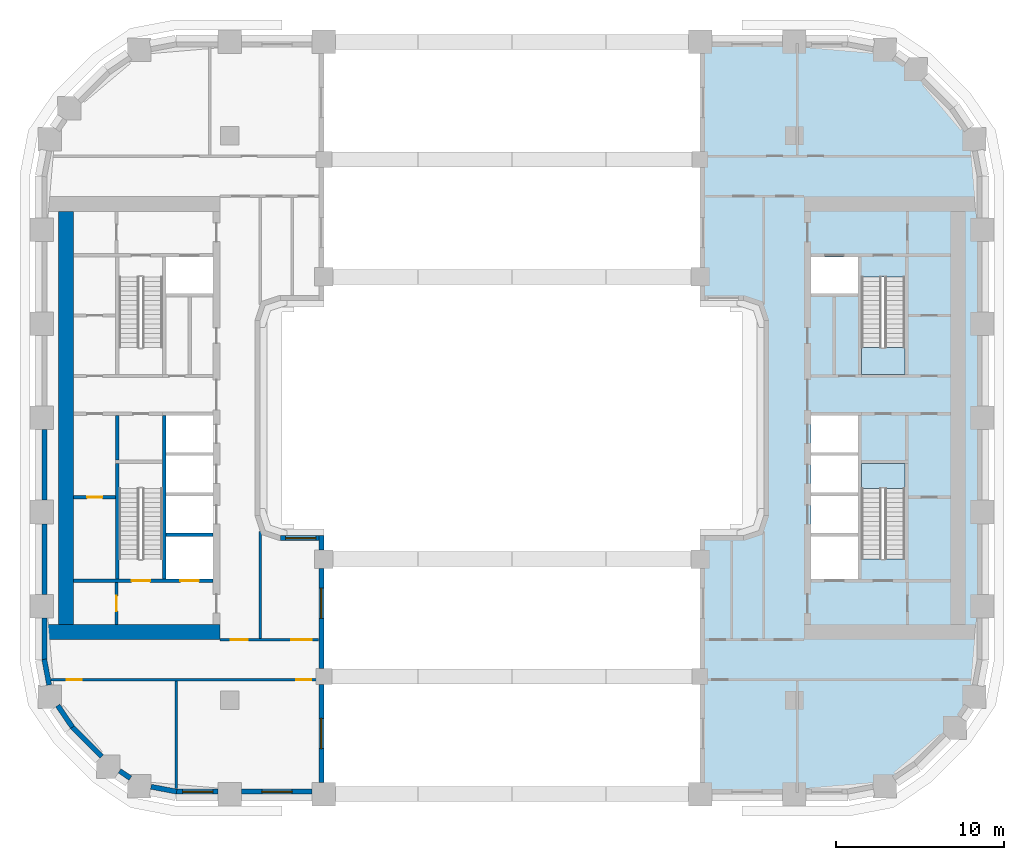
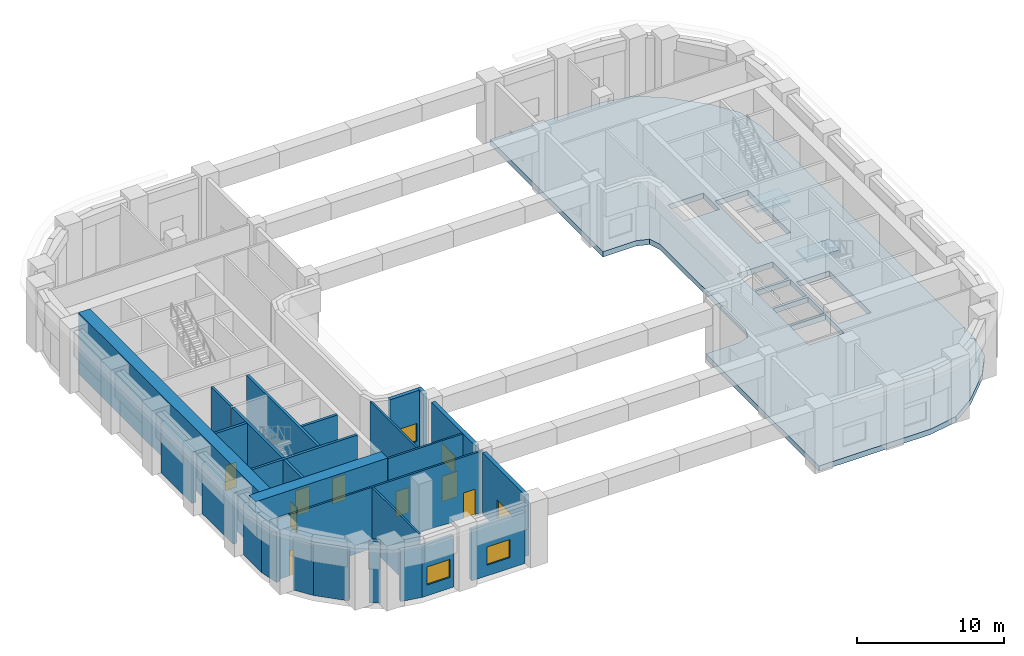
# One storey, part 2 of 14: 27 walls, 8 doors, 5 windows, 3 slabs, 13 openings, 2 elements without a shape of their own.
"""IFC4 building model written with IfcOpenShell, lengths in metres."""

from ifc_helpers import new_model, si_unit, direction, frame, frame_2d, origin, place, context, subcontext, project, spatial, polyline, rectangle, outline, extrude, material, layer, layer_set, type_object, element, fill, aggregate, save


model = new_model("IFC4")

# Units and contexts
model_context = context("Model", 3, precision=1e-05, world=origin(), true_north=direction((0.0, 1.0)))
body_context = subcontext(model_context, "Body", "Model", "MODEL_VIEW")
ifc_project = project(units=[si_unit("LENGTHUNIT", "METRE"), si_unit("AREAUNIT", "SQUARE_METRE"), si_unit("VOLUMEUNIT", "CUBIC_METRE"), si_unit("PLANEANGLEUNIT", "RADIAN"), si_unit("MASSUNIT", "GRAM", prefix="KILO")], contexts=[model_context])

# Site, building, storey
site_placement = place(None, origin())
site = spatial("IfcSite", under=ifc_project, at=site_placement, CompositionType="ELEMENT")
building_placement = place(site_placement, origin())
building = spatial("IfcBuilding", under=site, at=building_placement, Name="Kiln Ring Residences", CompositionType="ELEMENT")
storey_placement = place(building_placement, frame((0.0, 0.0, 77.89990234375)))
storey = spatial("IfcBuildingStorey", under=building, at=storey_placement, Name="L19", CompositionType="ELEMENT", Elevation=77.89990234375)

# Stair, slab
ifc_material_1 = material(Name="Concrete C40/50", Category="concrete")
stair_type = type_object("IfcStairType", Name="CORE-STAIR", PredefinedType="HALF_TURN_STAIR", material=ifc_material_1)
placement_1 = place(storey_placement, origin())
stair_1 = element("IfcStair", 1, at=placement_1, inside=storey, type_object=stair_type, Name="L19 stair E-STN", PredefinedType="HALF_TURN_STAIR")
ifc_material_2 = material(Name="Concrete C40/50", Category="concrete")
ifc_layer_1 = layer(ifc_material_2, 0.199951171875)
ifc_layer_set_1 = layer_set([ifc_layer_1], Name="CORE-STAIR-LANDING")
slab_type_1 = type_object("IfcSlabType", Name="CORE-STAIR-LANDING", PredefinedType="LANDING", material=ifc_layer_set_1)
placement_2 = place(storey_placement, frame((0.0, 0.0, 2.5)))
slab_1 = element("IfcSlab", 2, at=placement_2, type_object=slab_type_1, Name="E-STN landing 1", PredefinedType="LANDING", context=body_context, shape_type="SweptSolid", body=[
    extrude(outline(polyline([(20.800048828125, 4.199951171875), (20.800048828125, 2.60009765625), (23.39990234375, 2.60009765625), (23.39990234375, 4.199951171875), (20.800048828125, 4.199951171875)])), origin(), (0.0, 0.0, 1.0), 0.2001953125),
])
aggregate(stair_1, [slab_1])

stair_2 = element("IfcStair", 3, at=placement_1, inside=storey, type_object=stair_type, Name="L19 stair E-STS", PredefinedType="HALF_TURN_STAIR")
slab_2 = element("IfcSlab", 4, at=placement_2, type_object=slab_type_1, Name="E-STS landing 1", PredefinedType="LANDING", context=body_context, shape_type="SweptSolid", body=[
    extrude(outline(polyline([(23.39990234375, -4.199951171875), (23.39990234375, -2.699951171875), (20.800048828125, -2.699951171875), (20.800048828125, -4.199951171875), (23.39990234375, -4.199951171875)])), origin(), (0.0, 0.0, 1.0), 0.2001953125),
])
aggregate(stair_2, [slab_2])

# Slab
ifc_material_3 = material(Name="Concrete C40/50", Category="concrete")
ifc_layer_2 = layer(ifc_material_3, 0.449951171875)
ifc_layer_set_2 = layer_set([ifc_layer_2], Name="Floor slab 450")
slab_type_2 = type_object("IfcSlabType", Name="Floor slab 450", PredefinedType="FLOOR", material=ifc_layer_set_2)
slab_3_placement = place(storey_placement, frame((0.0, 0.0, -0.449951171875)))
element("IfcSlab", 5, at=slab_3_placement, inside=storey, type_object=slab_type_2, Name="Floor slab L19 2", PredefinedType="FLOOR", context=body_context, shape_type="SweptSolid", body=[
    extrude(outline(polyline([(13.800048828125, -7.0), (11.199951171875, -7.0), (11.199951171875, -22.39990234375), (20.0, -22.39990234375), (22.224365234375, -21.975830078125), (24.09716796875, -20.702880859375), (26.302978515625, -18.4970703125), (27.57568359375, -16.624267578125), (28.0, -14.39990234375), (28.0, 14.39990234375), (27.57568359375, 16.624267578125), (26.302978515625, 18.4970703125), (24.09716796875, 20.702880859375), (22.224365234375, 21.975830078125), (20.0, 22.39990234375), (11.199951171875, 22.39990234375), (11.199951171875, 7.0), (13.800048828125, 7.0), (14.699951171875, 6.699951171875), (15.0, 5.800048828125), (15.0, -5.800048828125), (14.699951171875, -6.699951171875), (13.800048828125, -7.0)]), holes=[polyline([(20.800048828125, -8.39794921875), (20.800048828125, -2.699951171875), (23.39990234375, -2.699951171875), (23.39990234375, -8.39794921875), (20.800048828125, -8.39794921875)]), polyline([(20.800048828125, 2.60009765625), (20.800048828125, 8.39794921875), (23.39990234375, 8.39794921875), (23.39990234375, 2.60009765625), (20.800048828125, 2.60009765625)]), polyline([(17.800048828125, -6.85009765625), (17.800048828125, -4.64990234375), (20.60009765625, -4.64990234375), (20.60009765625, -6.85009765625), (17.800048828125, -6.85009765625)]), polyline([(17.800048828125, -4.449951171875), (17.800048828125, -2.25), (20.60009765625, -2.25), (20.60009765625, -4.449951171875), (17.800048828125, -4.449951171875)]), polyline([(17.800048828125, -2.050048828125), (17.800048828125, 0.14990234375), (20.60009765625, 0.14990234375), (20.60009765625, -2.050048828125), (17.800048828125, -2.050048828125)]), polyline([(17.800048828125, 7.39990234375), (17.800048828125, 9.60009765625), (20.60009765625, 9.60009765625), (20.60009765625, 7.39990234375), (17.800048828125, 7.39990234375)]), polyline([(20.60009765625, -9.60009765625), (17.800048828125, -9.60009765625), (17.800048828125, -7.050048828125), (20.60009765625, -7.050048828125), (20.60009765625, -9.60009765625)])]), origin(), (0.0, 0.0, 1.0), 0.449951171875),
])

# Wall
ifc_material_4 = material(Name="Gypsum board on steel studs", Category="steel")
ifc_layer_3 = layer(ifc_material_4, 0.199951171875)
ifc_layer_set_3 = layer_set([ifc_layer_3], Name="CORE-PARTITION-200")
wall_type_1 = type_object("IfcWallType", Name="CORE-PARTITION-200", PredefinedType="PARTITIONING", material=ifc_layer_set_3)
wall_1_placement = place(storey_placement, frame((-23.5, -2.5, 0.0), z_axis=(0.0, 0.0, 1.0), x_axis=(0.0, 1.0, 0.0)))
element("IfcWall", 6, at=wall_1_placement, inside=storey, type_object=wall_type_1, Name="Core partition west L19 1", PredefinedType="PARTITIONING", context=body_context, shape_type="SweptSolid", body=[
    extrude(rectangle(XDim=2.64990234375, YDim=0.199951171875, at=frame_2d((1.324951171875, 0.0))), origin(), (0.0, 0.0, 1.0), 5.10009765625),
])

# Wall, opening, door
wall_2_placement = place(storey_placement, frame((-23.550048828125, -12.300048828125, 0.0), z_axis=(0.0, 0.0, 1.0), x_axis=(0.0, 1.0, 0.0)))
wall_2 = element("IfcWall", 7, at=wall_2_placement, inside=storey, type_object=wall_type_1, Name="Core partition west L19 5", PredefinedType="PARTITIONING", context=body_context, shape_type="SweptSolid", body=[
    extrude(rectangle(XDim=2.5, YDim=0.199951171875, at=frame_2d((1.25, 0.0))), origin(), (0.0, 0.0, 1.0), 5.10009765625),
])
opening_1_placement = place(wall_2_placement, frame((0.800048828125, 0.0, 0.0)))
opening_1 = element("IfcOpeningElement", 8, at=opening_1_placement, cuts=wall_2, Name="Opening L19-CW11", PredefinedType="OPENING", context=body_context, shape_type="SweptSolid", body=[
    extrude(rectangle(XDim=0.89990234375, YDim=2.10009765625, at=frame_2d((0.449951171875, 1.050048828125))), frame((0.0, 0.10986328125, 0.0), z_axis=(0.0, -1.0, 0.0), x_axis=(1.0, 0.0, 0.0)), (0.0, 0.0, 1.0), 0.219970703125),
])
ifc_material_5 = material(Name="Steel door leaf", Category="steel")
door_type_1 = type_object("IfcDoorType", Name="CORE-DOOR-ROOM", OperationType="SINGLE_SWING_LEFT", PredefinedType="DOOR", material=ifc_material_5)
door_1_placement = place(opening_1_placement, origin())
door_1 = element("IfcDoor", 9, at=door_1_placement, inside=storey, type_object=door_type_1, Name="Store L19-CW11", OperationType="SINGLE_SWING_LEFT", OverallHeight=2.10009765625, OverallWidth=0.89990234375, PredefinedType="DOOR", context=body_context, shape_type="SweptSolid", body=[
    extrude(rectangle(XDim=0.89990234375, YDim=2.10009765625, at=frame_2d((0.449951171875, 1.050048828125))), frame((0.0, 0.02490234375, 0.0), z_axis=(0.0, -1.0, 0.0), x_axis=(1.0, 0.0, 0.0)), (0.0, 0.0, 1.0), 0.050048828125),
])
fill(opening_1, door_1)

wall_3_placement = place(storey_placement, frame((-23.60009765625, -4.72509765625, 0.0), z_axis=(0.0, 0.0, 1.0), x_axis=(-1.0, 0.0, 0.0)))
wall_3 = element("IfcWall", 10, at=wall_3_placement, inside=storey, type_object=wall_type_1, Name="Core partition west L19 6", PredefinedType="PARTITIONING", context=body_context, shape_type="SweptSolid", body=[
    extrude(rectangle(XDim=2.5, YDim=0.199951171875, at=frame_2d((1.25, 0.0))), origin(), (0.0, 0.0, 1.0), 5.10009765625),
])
opening_2_placement = place(wall_3_placement, frame((0.800048828125, 0.0, 0.0)))
opening_2 = element("IfcOpeningElement", 11, at=opening_2_placement, cuts=wall_3, Name="Opening L19-CW16", PredefinedType="OPENING", context=body_context, shape_type="SweptSolid", body=[
    extrude(rectangle(XDim=0.89990234375, YDim=2.10009765625, at=frame_2d((0.449951171875, 1.050048828125))), frame((0.0, 0.10986328125, 0.0), z_axis=(0.0, -1.0, 0.0), x_axis=(1.0, 0.0, 0.0)), (0.0, 0.0, 1.0), 0.219970703125),
])
door_2_placement = place(opening_2_placement, origin())
door_2 = element("IfcDoor", 12, at=door_2_placement, inside=storey, type_object=door_type_1, Name="Meter room L19-CW16", OperationType="SINGLE_SWING_LEFT", OverallHeight=2.10009765625, OverallWidth=0.89990234375, PredefinedType="DOOR", context=body_context, shape_type="SweptSolid", body=[
    extrude(rectangle(XDim=0.89990234375, YDim=2.10009765625, at=frame_2d((0.449951171875, 1.050048828125))), frame((0.0, 0.02490234375, 0.0), z_axis=(0.0, -1.0, 0.0), x_axis=(1.0, 0.0, 0.0)), (0.0, 0.0, 1.0), 0.050048828125),
])
fill(opening_2, door_2)

# Walls
ifc_material_6 = material(Name="Gypsum shaft wall system")
ifc_layer_4 = layer(ifc_material_6, 0.199951171875)
ifc_layer_set_4 = layer_set([ifc_layer_4], Name="CORE-SHAFT-WALL-200")
wall_type_2 = type_object("IfcWallType", Name="CORE-SHAFT-WALL-200", PredefinedType="PARTITIONING", material=ifc_layer_set_4)
wall_4_placement = place(storey_placement, frame((-17.800048828125, -6.949951171875, 0.0), z_axis=(0.0, 0.0, 1.0), x_axis=(-1.0, 0.0, 0.0)))
element("IfcWall", 13, at=wall_4_placement, inside=storey, type_object=wall_type_2, Name="Core partition west L19 8", PredefinedType="PARTITIONING", context=body_context, shape_type="SweptSolid", body=[
    extrude(rectangle(XDim=2.800048828125, YDim=0.199951171875, at=frame_2d((1.39990234375, 0.0))), origin(), (0.0, 0.0, 1.0), 5.10009765625),
])
ifc_material_7 = material(Name="Concrete C40/50", Category="concrete")
ifc_layer_5 = layer(ifc_material_7, 0.199951171875)
ifc_layer_set_5 = layer_set([ifc_layer_5], Name="CORE-WALL-RC200")
wall_type_3 = type_object("IfcWallType", Name="CORE-WALL-RC200", PredefinedType="SHEAR", material=ifc_layer_set_5)
wall_5_placement = place(storey_placement, frame((-20.699951171875, -9.60009765625, 0.0), z_axis=(0.0, 0.0, 1.0), x_axis=(0.0, 1.0, 0.0)))
element("IfcWall", 14, at=wall_5_placement, inside=storey, type_object=wall_type_3, Name="Core wall west L19 2", PredefinedType="SHEAR", context=body_context, shape_type="SweptSolid", body=[
    extrude(rectangle(XDim=9.75, YDim=0.199951171875, at=frame_2d((4.875, 0.0))), origin(), (0.0, 0.0, 1.0), 5.10009765625),
])

# Wall, openings, doors
wall_6_placement = place(storey_placement, frame((-17.800048828125, -9.699951171875, 0.0), z_axis=(0.0, 0.0, 1.0), x_axis=(-1.0, 0.0, 0.0)))
wall_6 = element("IfcWall", 15, at=wall_6_placement, inside=storey, type_object=wall_type_3, Name="Core wall west L19 8", PredefinedType="SHEAR", context=body_context, shape_type="SweptSolid", body=[
    extrude(rectangle(XDim=8.300048828125, YDim=0.199951171875, at=frame_2d((4.14990234375, 0.0))), origin(), (0.0, 0.0, 1.0), 5.10009765625),
])
opening_3_placement = place(wall_6_placement, frame((0.85009765625, 0.0, 0.0)))
opening_3 = element("IfcOpeningElement", 16, at=opening_3_placement, cuts=wall_6, Name="Opening L19-CW01", PredefinedType="OPENING", context=body_context, shape_type="SweptSolid", body=[
    extrude(rectangle(XDim=1.10009765625, YDim=2.10009765625, at=frame_2d((0.550048828125, 1.050048828125))), frame((0.0, 0.10986328125, 0.0), z_axis=(0.0, -1.0, 0.0), x_axis=(1.0, 0.0, 0.0)), (0.0, 0.0, 1.0), 0.219970703125),
])
opening_4_placement = place(wall_6_placement, frame((3.75, 0.0, 0.0)))
opening_4 = element("IfcOpeningElement", 17, at=opening_4_placement, cuts=wall_6, Name="Opening L19-CW13", PredefinedType="OPENING", context=body_context, shape_type="SweptSolid", body=[
    extrude(rectangle(XDim=1.10009765625, YDim=2.10009765625, at=frame_2d((0.550048828125, 1.050048828125))), frame((0.0, 0.10986328125, 0.0), z_axis=(0.0, -1.0, 0.0), x_axis=(1.0, 0.0, 0.0)), (0.0, 0.0, 1.0), 0.219970703125),
])
ifc_material_8 = material(Name="Steel door leaf", Category="steel")
door_type_2 = type_object("IfcDoorType", Name="CORE-DOOR-LD", OperationType="DOUBLE_DOOR_SLIDING", PredefinedType="DOOR", material=ifc_material_8)
door_3_placement = place(opening_3_placement, origin())
door_3 = element("IfcDoor", 18, at=door_3_placement, inside=storey, type_object=door_type_2, Name="LD W-SV L19-CW01", OperationType="DOUBLE_DOOR_SLIDING", OverallHeight=2.10009765625, OverallWidth=1.10009765625, PredefinedType="DOOR", context=body_context, shape_type="SweptSolid", body=[
    extrude(rectangle(XDim=1.10009765625, YDim=2.10009765625, at=frame_2d((0.550048828125, 1.050048828125))), frame((0.0, 0.02490234375, 0.0), z_axis=(0.0, -1.0, 0.0), x_axis=(1.0, 0.0, 0.0)), (0.0, 0.0, 1.0), 0.050048828125),
])
fill(opening_3, door_3)
ifc_material_9 = material(Name="Steel door leaf", Category="steel")
door_type_3 = type_object("IfcDoorType", Name="CORE-DOOR-STAIR", OperationType="SINGLE_SWING_LEFT", PredefinedType="DOOR", material=ifc_material_9)
door_4_placement = place(opening_4_placement, origin())
door_4 = element("IfcDoor", 19, at=door_4_placement, inside=storey, type_object=door_type_3, Name="Stair W-STS L19-CW13", OperationType="SINGLE_SWING_RIGHT", OverallHeight=2.10009765625, OverallWidth=1.10009765625, PredefinedType="DOOR", context=body_context, shape_type="SweptSolid", body=[
    extrude(rectangle(XDim=1.10009765625, YDim=2.10009765625, at=frame_2d((0.550048828125, 1.050048828125))), frame((0.0, 0.02490234375, 0.0), z_axis=(0.0, -1.0, 0.0), x_axis=(1.0, 0.0, 0.0)), (0.0, 0.0, 1.0), 0.050048828125),
])
fill(opening_4, door_4)

# Walls
wall_7_placement = place(storey_placement, frame((-23.5, -9.60009765625, 0.0), z_axis=(0.0, 0.0, 1.0), x_axis=(0.0, 1.0, 0.0)))
element("IfcWall", 20, at=wall_7_placement, inside=storey, type_object=wall_type_3, Name="Core wall west L19 11", PredefinedType="SHEAR", context=body_context, shape_type="SweptSolid", body=[
    extrude(rectangle(XDim=6.900146484375, YDim=0.199951171875, at=frame_2d((3.4501953125, 0.0))), origin(), (0.0, 0.0, 1.0), 5.10009765625),
])
ifc_material_10 = material(Name="Concrete C60/75", Category="concrete")
ifc_layer_6 = layer(ifc_material_10, 0.89990234375)
ifc_layer_set_6 = layer_set([ifc_layer_6], Name="CORE-WALL-RC900")
wall_type_4 = type_object("IfcWallType", Name="CORE-WALL-RC900", PredefinedType="SHEAR", material=ifc_layer_set_6)
wall_8_placement = place(storey_placement, frame((-17.39990234375, -12.75, 0.0), z_axis=(0.0, 0.0, 1.0), x_axis=(-1.0, 0.0, 0.0)))
element("IfcWall", 21, at=wall_8_placement, inside=storey, type_object=wall_type_4, Name="Core wall west L19 5", PredefinedType="SHEAR", context=body_context, shape_type="SweptSolid", body=[
    extrude(rectangle(XDim=10.400146484375, YDim=0.89990234375, at=frame_2d((5.2001953125, 0.0))), origin(), (0.0, 0.0, 1.0), 5.10009765625),
])
wall_9_placement = place(storey_placement, frame((-26.550048828125, -12.300048828125, 0.0), z_axis=(0.0, 0.0, 1.0), x_axis=(0.0, 1.0, 0.0)))
element("IfcWall", 22, at=wall_9_placement, inside=storey, type_object=wall_type_4, Name="Core wall west L19 7", PredefinedType="SHEAR", context=body_context, shape_type="SweptSolid", body=[
    extrude(rectangle(XDim=24.60009765625, YDim=0.89990234375, at=frame_2d((12.300048828125, 0.0))), origin(), (0.0, 0.0, 1.0), 5.10009765625),
])
ifc_material_11 = material(Name="Brick masonry, dark clay brick", Category="masonry")
ifc_layer_7 = layer(ifc_material_11, 0.300048828125)
ifc_layer_set_7 = layer_set([ifc_layer_7], Name="EW-300 BRICK WALL")
wall_type_5 = type_object("IfcWallType", Name="EW-300 BRICK WALL", PredefinedType="SOLIDWALL", material=ifc_layer_set_7)
for number, where, z_axis, x_axis, name in (
    (23, (-27.8525390625, -14.371826171875, 0.0), (0.0, 0.0, 1.0), (0.187328386968, -0.982297345734, 0.0), "Facade wall L19 1"),
    (24, (-27.053466796875, -17.125732421875, 0.0), (0.0, 0.0, 1.0), (0.56199241657, -0.827142384187, 0.0), "Facade wall L19 2"),
):
    element("IfcWall", number, at=place(storey_placement, frame(where, z_axis=z_axis, x_axis=x_axis)), inside=storey, type_object=wall_type_5, Name=name, PredefinedType="SOLIDWALL", context=body_context, shape_type="SweptSolid", body=[
        extrude(rectangle(XDim=1.55615234375, YDim=0.300048828125, at=frame_2d((0.778076171875, 0.0))), origin(), (0.0, 0.0, 1.0), 4.25),
    ])
wall_10_placement = place(storey_placement, frame((-26.19677734375, -18.390869140625, 0.0), z_axis=(0.0, 0.0, 1.0), x_axis=(0.707057949532, -0.707155609469, 0.0)))
element("IfcWall", 25, at=wall_10_placement, inside=storey, type_object=wall_type_5, Name="Facade wall L19 3", PredefinedType="SOLIDWALL", context=body_context, shape_type="SweptSolid", body=[
    extrude(rectangle(XDim=2.5, YDim=0.300048828125, at=frame_2d((1.25, 0.0))), origin(), (0.0, 0.0, 1.0), 4.25),
])
wall_11_placement = place(storey_placement, frame((-23.368408203125, -21.016845703125, 0.0), z_axis=(0.0, 0.0, 1.0), x_axis=(0.827037530089, -0.562146710232, 0.0)))
element("IfcWall", 26, at=wall_11_placement, inside=storey, type_object=wall_type_5, Name="Facade wall L19 4", PredefinedType="SOLIDWALL", context=body_context, shape_type="SweptSolid", body=[
    extrude(rectangle(XDim=0.77685546875, YDim=0.300048828125, at=frame_2d((0.388427734375, 0.0))), origin(), (0.0, 0.0, 1.0), 5.10009765625),
])
wall_12_placement = place(storey_placement, frame((-21.50048828125, -21.961181640625, 0.0), z_axis=(0.0, 0.0, 1.0), x_axis=(0.982297345734, -0.187328386968, 0.0)))
element("IfcWall", 27, at=wall_12_placement, inside=storey, type_object=wall_type_5, Name="Facade wall L19 5", PredefinedType="SOLIDWALL", context=body_context, shape_type="SweptSolid", body=[
    extrude(rectangle(XDim=1.55615234375, YDim=0.300048828125, at=frame_2d((0.778076171875, 0.0))), origin(), (0.0, 0.0, 1.0), 4.25),
])

# Wall, opening, window
wall_13_placement = place(storey_placement, frame((-20.0, -22.25, 0.0), z_axis=(0.0, 0.0, 1.0), x_axis=(1.0, 0.0, 0.0)))
wall_13 = element("IfcWall", 28, at=wall_13_placement, inside=storey, type_object=wall_type_5, Name="Facade wall L19 6", PredefinedType="SOLIDWALL", context=body_context, shape_type="SweptSolid", body=[
    extrude(rectangle(XDim=2.5, YDim=0.300048828125, at=frame_2d((1.25, 0.0))), origin(), (0.0, 0.0, 1.0), 4.25),
])
opening_5_placement = place(wall_13_placement, frame((0.389892578125, 0.0, 0.89990234375)))
opening_5 = element("IfcOpeningElement", 29, at=opening_5_placement, cuts=wall_13, Name="Opening LV1", PredefinedType="OPENING", context=body_context, shape_type="SweptSolid", body=[
    extrude(rectangle(XDim=1.800048828125, YDim=1.5, at=frame_2d((0.89990234375, 0.75))), frame((0.0, 0.159912109375, 0.0), z_axis=(0.0, -1.0, 0.0), x_axis=(1.0, 0.0, 0.0)), (0.0, 0.0, 1.0), 0.320068359375),
])
ifc_material_12 = material(Name="Aluminium louvre", Category="aluminium")
window_type = type_object("IfcWindowType", Name="LOUVRED VENT 1800 x 1500", PartitioningType="SINGLE_PANEL", PredefinedType="WINDOW", material=ifc_material_12)
window_1_placement = place(opening_5_placement, origin())
window_1 = element("IfcWindow", 30, at=window_1_placement, inside=storey, type_object=window_type, Name="Louvred vent L19 1", OverallHeight=1.5, OverallWidth=1.800048828125, PartitioningType="SINGLE_PANEL", PredefinedType="WINDOW", context=body_context, shape_type="SweptSolid", body=[
    extrude(rectangle(XDim=1.800048828125, YDim=1.5, at=frame_2d((0.89990234375, 0.75))), frame((0.0, 0.030029296875, 0.0), z_axis=(0.0, -1.0, 0.0), x_axis=(1.0, 0.0, 0.0)), (0.0, 0.0, 1.0), 0.06005859375),
])
fill(opening_5, window_1)

wall_14_placement = place(storey_placement, frame((-16.10009765625, -22.25, 0.0), z_axis=(0.0, 0.0, 1.0), x_axis=(1.0, 0.0, 0.0)))
wall_14 = element("IfcWall", 31, at=wall_14_placement, inside=storey, type_object=wall_type_5, Name="Facade wall L19 7", PredefinedType="SOLIDWALL", context=body_context, shape_type="SweptSolid", body=[
    extrude(rectangle(XDim=4.2001953125, YDim=0.300048828125, at=frame_2d((2.10009765625, 0.0))), origin(), (0.0, 0.0, 1.0), 4.25),
])
opening_6_placement = place(wall_14_placement, frame((1.199951171875, 0.0, 0.89990234375)))
opening_6 = element("IfcOpeningElement", 32, at=opening_6_placement, cuts=wall_14, Name="Opening LV1", PredefinedType="OPENING", context=body_context, shape_type="SweptSolid", body=[
    extrude(rectangle(XDim=1.800048828125, YDim=1.5, at=frame_2d((0.89990234375, 0.75))), frame((0.0, 0.159912109375, 0.0), z_axis=(0.0, -1.0, 0.0), x_axis=(1.0, 0.0, 0.0)), (0.0, 0.0, 1.0), 0.320068359375),
])
window_2_placement = place(opening_6_placement, origin())
window_2 = element("IfcWindow", 33, at=window_2_placement, inside=storey, type_object=window_type, Name="Louvred vent L19 2", OverallHeight=1.5, OverallWidth=1.800048828125, PartitioningType="SINGLE_PANEL", PredefinedType="WINDOW", context=body_context, shape_type="SweptSolid", body=[
    extrude(rectangle(XDim=1.800048828125, YDim=1.5, at=frame_2d((0.89990234375, 0.75))), frame((0.0, 0.030029296875, 0.0), z_axis=(0.0, -1.0, 0.0), x_axis=(1.0, 0.0, 0.0)), (0.0, 0.0, 1.0), 0.06005859375),
])
fill(opening_6, window_2)

wall_15_placement = place(storey_placement, frame((-11.35009765625, -21.699951171875, 0.0), z_axis=(0.0, 0.0, 1.0), x_axis=(0.0, 1.0, 0.0)))
wall_15 = element("IfcWall", 34, at=wall_15_placement, inside=storey, type_object=wall_type_5, Name="Facade wall L19 8", PredefinedType="SOLIDWALL", context=body_context, shape_type="SweptSolid", body=[
    extrude(rectangle(XDim=5.824951171875, YDim=0.300048828125, at=frame_2d((2.91259765625, 0.0))), origin(), (0.0, 0.0, 1.0), 5.10009765625),
])
opening_7_placement = place(wall_15_placement, frame((2.012451171875, 0.0, 0.89990234375)))
opening_7 = element("IfcOpeningElement", 35, at=opening_7_placement, cuts=wall_15, Name="Opening LV1", PredefinedType="OPENING", context=body_context, shape_type="SweptSolid", body=[
    extrude(rectangle(XDim=1.800048828125, YDim=1.5, at=frame_2d((0.89990234375, 0.75))), frame((0.0, 0.159912109375, 0.0), z_axis=(0.0, -1.0, 0.0), x_axis=(1.0, 0.0, 0.0)), (0.0, 0.0, 1.0), 0.320068359375),
])
window_3_placement = place(opening_7_placement, origin())
window_3 = element("IfcWindow", 36, at=window_3_placement, inside=storey, type_object=window_type, Name="Louvred vent L19 3", OverallHeight=1.5, OverallWidth=1.800048828125, PartitioningType="SINGLE_PANEL", PredefinedType="WINDOW", context=body_context, shape_type="SweptSolid", body=[
    extrude(rectangle(XDim=1.800048828125, YDim=1.5, at=frame_2d((0.89990234375, 0.75))), frame((0.0, 0.030029296875, 0.0), z_axis=(0.0, -1.0, 0.0), x_axis=(1.0, 0.0, 0.0)), (0.0, 0.0, 1.0), 0.06005859375),
])
fill(opening_7, window_3)

wall_16_placement = place(storey_placement, frame((-11.35009765625, -14.925048828125, 0.0), z_axis=(0.0, 0.0, 1.0), x_axis=(0.0, 1.0, 0.0)))
wall_16 = element("IfcWall", 37, at=wall_16_placement, inside=storey, type_object=wall_type_5, Name="Facade wall L19 9", PredefinedType="SOLIDWALL", context=body_context, shape_type="SweptSolid", body=[
    extrude(rectangle(XDim=5.97509765625, YDim=0.300048828125, at=frame_2d((2.987548828125, 0.0))), origin(), (0.0, 0.0, 1.0), 5.10009765625),
])
opening_8_placement = place(wall_16_placement, frame((2.987548828125, 0.0, 0.89990234375)))
opening_8 = element("IfcOpeningElement", 38, at=opening_8_placement, cuts=wall_16, Name="Opening LV1", PredefinedType="OPENING", context=body_context, shape_type="SweptSolid", body=[
    extrude(rectangle(XDim=1.800048828125, YDim=1.5, at=frame_2d((0.89990234375, 0.75))), frame((0.0, 0.159912109375, 0.0), z_axis=(0.0, -1.0, 0.0), x_axis=(1.0, 0.0, 0.0)), (0.0, 0.0, 1.0), 0.320068359375),
])
window_4_placement = place(opening_8_placement, origin())
window_4 = element("IfcWindow", 39, at=window_4_placement, inside=storey, type_object=window_type, Name="Louvred vent L19 4", OverallHeight=1.5, OverallWidth=1.800048828125, PartitioningType="SINGLE_PANEL", PredefinedType="WINDOW", context=body_context, shape_type="SweptSolid", body=[
    extrude(rectangle(XDim=1.800048828125, YDim=1.5, at=frame_2d((0.89990234375, 0.75))), frame((0.0, 0.030029296875, 0.0), z_axis=(0.0, -1.0, 0.0), x_axis=(1.0, 0.0, 0.0)), (0.0, 0.0, 1.0), 0.06005859375),
])
fill(opening_8, window_4)

# Wall
wall_17_placement = place(storey_placement, frame((-11.35009765625, -7.85009765625, 0.0), z_axis=(0.0, 0.0, 1.0), x_axis=(0.0, 1.0, 0.0)))
element("IfcWall", 40, at=wall_17_placement, inside=storey, type_object=wall_type_5, Name="Facade wall L19 10", PredefinedType="SOLIDWALL", context=body_context, shape_type="SweptSolid", body=[
    extrude(rectangle(XDim=0.85009765625, YDim=0.300048828125, at=frame_2d((0.425048828125, 0.0))), origin(), (0.0, 0.0, 1.0), 5.10009765625),
])

# Wall, opening, window
wall_18_placement = place(storey_placement, frame((-11.199951171875, -7.14990234375, 0.0), z_axis=(0.0, 0.0, 1.0), x_axis=(-1.0, 0.0, 0.0)))
wall_18 = element("IfcWall", 41, at=wall_18_placement, inside=storey, type_object=wall_type_5, Name="Facade wall L19 11", PredefinedType="SOLIDWALL", context=body_context, shape_type="SweptSolid", body=[
    extrude(rectangle(XDim=2.60009765625, YDim=0.300048828125, at=frame_2d((1.300048828125, 0.0))), origin(), (0.0, 0.0, 1.0), 5.10009765625),
])
opening_9_placement = place(wall_18_placement, frame((0.482421875, 0.0, 0.89990234375)))
opening_9 = element("IfcOpeningElement", 42, at=opening_9_placement, cuts=wall_18, Name="Opening LV1", PredefinedType="OPENING", context=body_context, shape_type="SweptSolid", body=[
    extrude(rectangle(XDim=1.800048828125, YDim=1.5, at=frame_2d((0.89990234375, 0.75))), frame((0.0, 0.159912109375, 0.0), z_axis=(0.0, -1.0, 0.0), x_axis=(1.0, 0.0, 0.0)), (0.0, 0.0, 1.0), 0.320068359375),
])
window_5_placement = place(opening_9_placement, origin())
window_5 = element("IfcWindow", 43, at=window_5_placement, inside=storey, type_object=window_type, Name="Louvred vent L19 5", OverallHeight=1.5, OverallWidth=1.800048828125, PartitioningType="SINGLE_PANEL", PredefinedType="WINDOW", context=body_context, shape_type="SweptSolid", body=[
    extrude(rectangle(XDim=1.800048828125, YDim=1.5, at=frame_2d((0.89990234375, 0.75))), frame((0.0, 0.030029296875, 0.0), z_axis=(0.0, -1.0, 0.0), x_axis=(1.0, 0.0, 0.0)), (0.0, 0.0, 1.0), 0.06005859375),
])
fill(opening_9, window_5)

# Walls
for number, where, z_axis, x_axis, name in (
    (44, (-27.85009765625, -0.699951171875, 0.0), (0.0, 0.0, 1.0), (0.0, -1.0, 0.0), "Facade wall L19 27"),
    (45, (-27.85009765625, -6.300048828125, 0.0), (0.0, 0.0, 1.0), (0.0, -1.0, 0.0), "Facade wall L19 28"),
):
    element("IfcWall", number, at=place(storey_placement, frame(where, z_axis=z_axis, x_axis=x_axis)), inside=storey, type_object=wall_type_5, Name=name, PredefinedType="SOLIDWALL", context=body_context, shape_type="SweptSolid", body=[
        extrude(rectangle(XDim=4.199951171875, YDim=0.300048828125, at=frame_2d((2.10009765625, 0.0))), origin(), (0.0, 0.0, 1.0), 4.25),
    ])
wall_19_placement = place(storey_placement, frame((-27.85009765625, -11.89990234375, 0.0), z_axis=(0.0, 0.0, 1.0), x_axis=(0.0, -1.0, 0.0)))
element("IfcWall", 46, at=wall_19_placement, inside=storey, type_object=wall_type_5, Name="Facade wall L19 29", PredefinedType="SOLIDWALL", context=body_context, shape_type="SweptSolid", body=[
    extrude(rectangle(XDim=2.5, YDim=0.300048828125, at=frame_2d((1.25, 0.0))), origin(), (0.0, 0.0, 1.0), 4.25),
])

# Wall, openings, doors
ifc_material_13 = material(Name="Brick masonry partition", Category="masonry")
ifc_layer_8 = layer(ifc_material_13, 0.14990234375)
ifc_layer_set_8 = layer_set([ifc_layer_8], Name="PARTITION-150-ei60")
wall_type_6 = type_object("IfcWallType", Name="PARTITION-150-ei60", PredefinedType="PARTITIONING", material=ifc_layer_set_8)
wall_20_placement = place(storey_placement, frame((-27.44580078125, -15.60009765625, 0.0), z_axis=(0.0, 0.0, 1.0), x_axis=(1.0, 0.0, 0.0)))
wall_20 = element("IfcWall", 47, at=wall_20_placement, inside=storey, type_object=wall_type_6, Name="Partition 000", PredefinedType="PARTITIONING", context=body_context, shape_type="SweptSolid", body=[
    extrude(rectangle(XDim=16.15576171875, YDim=0.14990234375, at=frame_2d((8.077880859375, 0.0))), origin(), (0.0, 0.0, 1.0), 5.10009765625),
])
opening_10_placement = place(wall_20_placement, frame((14.6005859375, 0.0, 0.0)))
opening_10 = element("IfcOpeningElement", 48, at=opening_10_placement, cuts=wall_20, Name="Opening L19-D012", PredefinedType="OPENING", context=body_context, shape_type="SweptSolid", body=[
    extrude(rectangle(XDim=0.89990234375, YDim=2.10009765625, at=frame_2d((0.449951171875, 1.050048828125))), frame((0.0, 0.0849609375, 0.0), z_axis=(0.0, -1.0, 0.0), x_axis=(1.0, 0.0, 0.0)), (0.0, 0.0, 1.0), 0.169921875),
])
opening_11_placement = place(wall_20_placement, frame((0.916748046875, 0.0, 0.0)))
opening_11 = element("IfcOpeningElement", 49, at=opening_11_placement, cuts=wall_20, Name="Opening L19-D013", PredefinedType="OPENING", context=body_context, shape_type="SweptSolid", body=[
    extrude(rectangle(XDim=0.89990234375, YDim=2.10009765625, at=frame_2d((0.449951171875, 1.050048828125))), frame((0.0, 0.0849609375, 0.0), z_axis=(0.0, -1.0, 0.0), x_axis=(1.0, 0.0, 0.0)), (0.0, 0.0, 1.0), 0.169921875),
])
ifc_material_14 = material(Name="Steel faced fire door leaf", Category="steel")
door_type_4 = type_object("IfcDoorType", Name="FLAT-DOOR-900-FR", OperationType="SINGLE_SWING_LEFT", PredefinedType="DOOR", material=ifc_material_14)
door_5_placement = place(opening_10_placement, origin())
door_5 = element("IfcDoor", 50, at=door_5_placement, inside=storey, type_object=door_type_4, Name="Door L19-D012", OperationType="SINGLE_SWING_RIGHT", OverallHeight=2.10009765625, OverallWidth=0.89990234375, PredefinedType="DOOR", context=body_context, shape_type="SweptSolid", body=[
    extrude(rectangle(XDim=0.89990234375, YDim=2.10009765625, at=frame_2d((0.449951171875, 1.050048828125))), frame((0.0, 0.02490234375, 0.0), z_axis=(0.0, -1.0, 0.0), x_axis=(1.0, 0.0, 0.0)), (0.0, 0.0, 1.0), 0.050048828125),
])
fill(opening_10, door_5)
door_6_placement = place(opening_11_placement, origin())
door_6 = element("IfcDoor", 51, at=door_6_placement, inside=storey, type_object=door_type_4, Name="Door L19-D013", OperationType="SINGLE_SWING_LEFT", OverallHeight=2.10009765625, OverallWidth=0.89990234375, PredefinedType="DOOR", context=body_context, shape_type="SweptSolid", body=[
    extrude(rectangle(XDim=0.89990234375, YDim=2.10009765625, at=frame_2d((0.449951171875, 1.050048828125))), frame((0.0, 0.02490234375, 0.0), z_axis=(0.0, -1.0, 0.0), x_axis=(1.0, 0.0, 0.0)), (0.0, 0.0, 1.0), 0.050048828125),
])
fill(opening_11, door_6)

wall_21_placement = place(storey_placement, frame((-17.39990234375, -13.199951171875, 0.0), z_axis=(0.0, 0.0, 1.0), x_axis=(1.0, 0.0, 0.0)))
wall_21 = element("IfcWall", 52, at=wall_21_placement, inside=storey, type_object=wall_type_6, Name="Partition 002", PredefinedType="PARTITIONING", context=body_context, shape_type="SweptSolid", body=[
    extrude(rectangle(XDim=5.8798828125, YDim=0.14990234375, at=frame_2d((2.93994140625, 0.0))), origin(), (0.0, 0.0, 1.0), 5.10009765625),
])
opening_12_placement = place(wall_21_placement, frame((0.64990234375, 0.0, 0.0)))
opening_12 = element("IfcOpeningElement", 53, at=opening_12_placement, cuts=wall_21, Name="Opening L19-D010", PredefinedType="OPENING", context=body_context, shape_type="SweptSolid", body=[
    extrude(rectangle(XDim=1.0, YDim=2.10009765625, at=frame_2d((0.5, 1.050048828125))), frame((0.0, 0.0849609375, 0.0), z_axis=(0.0, -1.0, 0.0), x_axis=(1.0, 0.0, 0.0)), (0.0, 0.0, 1.0), 0.169921875),
])
opening_13_placement = place(wall_21_placement, frame((4.260009765625, 0.0, 0.0)))
opening_13 = element("IfcOpeningElement", 54, at=opening_13_placement, cuts=wall_21, Name="Opening L19-D011", PredefinedType="OPENING", context=body_context, shape_type="SweptSolid", body=[
    extrude(rectangle(XDim=1.199951171875, YDim=2.10009765625, at=frame_2d((0.60009765625, 1.050048828125))), frame((0.0, 0.0849609375, 0.0), z_axis=(0.0, -1.0, 0.0), x_axis=(1.0, 0.0, 0.0)), (0.0, 0.0, 1.0), 0.169921875),
])
ifc_material_15 = material(Name="Steel faced fire door leaf", Category="steel")
door_type_5 = type_object("IfcDoorType", Name="FLAT-DOOR-1000-FR", OperationType="SINGLE_SWING_LEFT", PredefinedType="DOOR", material=ifc_material_15)
door_7_placement = place(opening_12_placement, origin())
door_7 = element("IfcDoor", 55, at=door_7_placement, inside=storey, type_object=door_type_5, Name="Door L19-D010", OperationType="SINGLE_SWING_LEFT", OverallHeight=2.10009765625, OverallWidth=1.0, PredefinedType="DOOR", context=body_context, shape_type="SweptSolid", body=[
    extrude(rectangle(XDim=1.0, YDim=2.10009765625, at=frame_2d((0.5, 1.050048828125))), frame((0.0, 0.02490234375, 0.0), z_axis=(0.0, -1.0, 0.0), x_axis=(1.0, 0.0, 0.0)), (0.0, 0.0, 1.0), 0.050048828125),
])
fill(opening_12, door_7)
ifc_material_16 = material(Name="Steel faced fire door leaf", Category="steel")
door_type_6 = type_object("IfcDoorType", Name="FLAT-DOOR-1200-FR", OperationType="SINGLE_SWING_LEFT", PredefinedType="DOOR", material=ifc_material_16)
door_8_placement = place(opening_13_placement, origin())
door_8 = element("IfcDoor", 56, at=door_8_placement, inside=storey, type_object=door_type_6, Name="Door L19-D011", OperationType="SINGLE_SWING_LEFT", OverallHeight=2.10009765625, OverallWidth=1.199951171875, PredefinedType="DOOR", context=body_context, shape_type="SweptSolid", body=[
    extrude(rectangle(XDim=1.199951171875, YDim=2.10009765625, at=frame_2d((0.60009765625, 1.050048828125))), frame((0.0, 0.02490234375, 0.0), z_axis=(0.0, -1.0, 0.0), x_axis=(1.0, 0.0, 0.0)), (0.0, 0.0, 1.0), 0.050048828125),
])
fill(opening_13, door_8)

# Walls
wall_22_placement = place(storey_placement, frame((-20.0, -22.07470703125, 0.0), z_axis=(0.0, 0.0, 1.0), x_axis=(0.0, 1.0, 0.0)))
element("IfcWall", 57, at=wall_22_placement, inside=storey, type_object=wall_type_6, Name="Partition 008", PredefinedType="PARTITIONING", context=body_context, shape_type="SweptSolid", body=[
    extrude(rectangle(XDim=6.399658203125, YDim=0.14990234375, at=frame_2d((3.19970703125, 0.0))), origin(), (0.0, 0.0, 1.0), 5.10009765625),
])
wall_23_placement = place(storey_placement, frame((-15.0, -13.125, 0.0), z_axis=(0.0, 0.0, 1.0), x_axis=(0.0, 1.0, 0.0)))
element("IfcWall", 58, at=wall_23_placement, inside=storey, type_object=wall_type_6, Name="Partition 010", PredefinedType="PARTITIONING", context=body_context, shape_type="SweptSolid", body=[
    extrude(rectangle(XDim=6.356201171875, YDim=0.14990234375, at=frame_2d((3.17822265625, 0.0))), origin(), (0.0, 0.0, 1.0), 5.10009765625),
])

save(model, "model.ifc")
